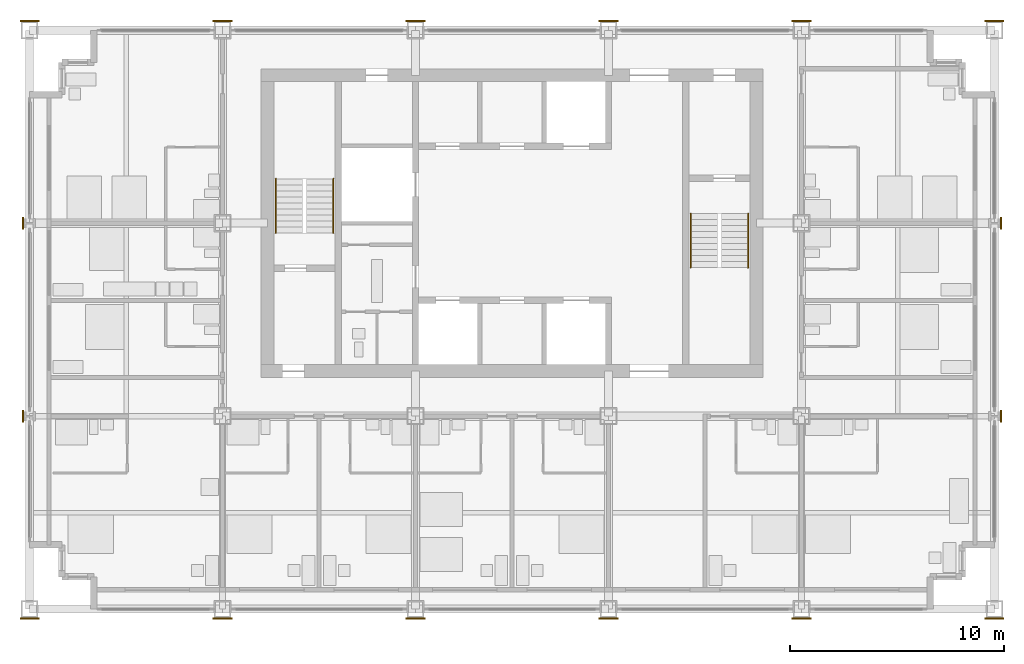
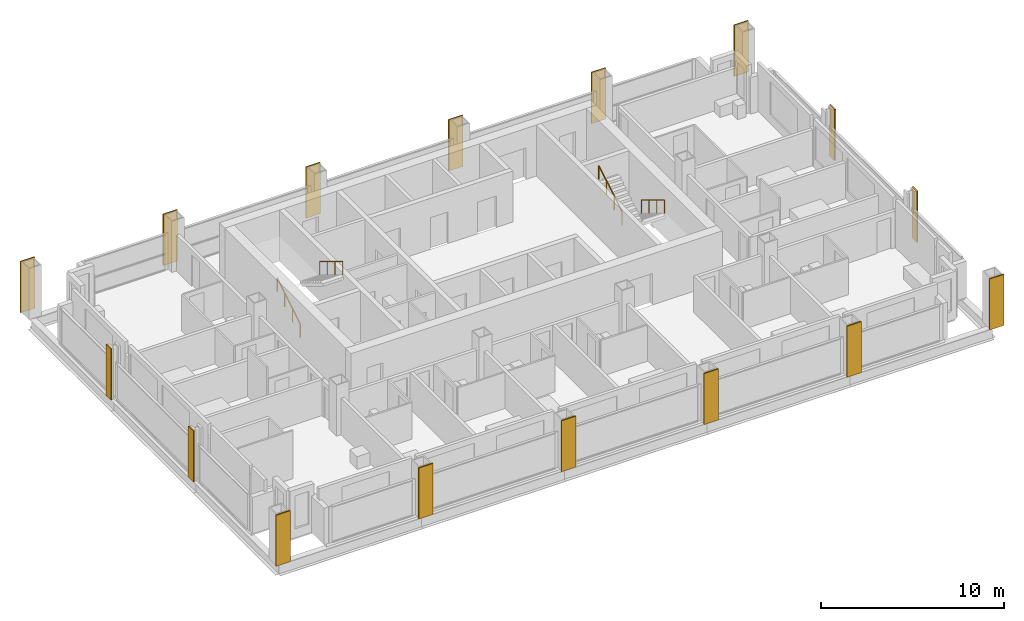
# One storey, part 12 of 14: 16 coverings, 4 railings.
"""IFC4 building model written with IfcOpenShell, lengths in metres."""

from ifc_helpers import new_model, si_unit, direction, frame, origin, origin_2d, place, context, subcontext, project, spatial, rectangle, circle, extrude, material, layer, layer_set, type_object, element, save


model = new_model("IFC4")

# Units and contexts
model_context = context("Model", 3, precision=1e-05, world=origin(), true_north=direction((0.0, 1.0)))
body_context = subcontext(model_context, "Body", "Model", "MODEL_VIEW")
ifc_project = project(units=[si_unit("LENGTHUNIT", "METRE"), si_unit("AREAUNIT", "SQUARE_METRE"), si_unit("VOLUMEUNIT", "CUBIC_METRE"), si_unit("PLANEANGLEUNIT", "RADIAN"), si_unit("MASSUNIT", "GRAM", prefix="KILO")], contexts=[model_context])

# Site, building, storey
site_placement = place(None, origin())
site = spatial("IfcSite", under=ifc_project, at=site_placement, CompositionType="ELEMENT")
building_placement = place(site_placement, origin())
building = spatial("IfcBuilding", under=site, at=building_placement, Name="Loomwork Tower", CompositionType="ELEMENT")
storey_placement = place(building_placement, frame((0.0, 0.0, 170.60009765625)))
storey = spatial("IfcBuildingStorey", under=building, at=storey_placement, Name="L46", CompositionType="ELEMENT", Elevation=170.60009765625)

# Railings
ifc_material_1 = material(Name="Stainless steel handrail", Category="steel")
railing_type = type_object("IfcRailingType", Name="Handrail 900", PredefinedType="HANDRAIL", material=ifc_material_1)
railing_1_placement = place(storey_placement, frame((11.485107421875, 17.550048828125, 0.169921875)))
element("IfcRailing", 1, at=railing_1_placement, inside=storey, type_object=railing_type, Name="Stair A handrail flight 1 L46", PredefinedType="HANDRAIL", context=body_context, shape_type="SweptSolid", body=[
    extrude(circle(Radius=0.02392578125, at=origin_2d()), frame((0.0, 0.0, 0.8759765625), z_axis=(0.0, 0.85478489116, 0.518982456201), x_axis=(-1.0, 0.0, 0.0)), (0.0, 0.0, 1.0), 2.9482421875),
    extrude(circle(Radius=0.02099609375, at=origin_2d()), origin(), (0.0, 0.0, 1.0), 0.851806640625),
    extrude(circle(Radius=0.02099609375, at=origin_2d()), frame((0.0, 0.840087890625, 0.510009765625)), (0.0, 0.0, 1.0), 0.851806640625),
    extrude(circle(Radius=0.02099609375, at=origin_2d()), frame((0.0, 1.679931640625, 1.02001953125)), (0.0, 0.0, 1.0), 0.851806640625),
    extrude(circle(Radius=0.02099609375, at=origin_2d()), frame((0.0, 2.52001953125, 1.530029296875)), (0.0, 0.0, 1.0), 0.851806640625),
])
for number, where, name in (
    (2, (14.1650390625, 20.070068359375, 1.869873046875), "Stair A handrail flight 2 L46"),
    (3, (33.514892578125, 18.449951171875, 0.169921875), "Stair B handrail flight 1 L46"),
):
    element("IfcRailing", number, at=place(storey_placement, frame(where)), inside=storey, type_object=railing_type, Name=name, PredefinedType="HANDRAIL", context=body_context, shape_type="SweptSolid", body=[
        extrude(circle(Radius=0.02392578125, at=origin_2d()), frame((0.0, 0.0, 0.8759765625), z_axis=(0.0, -0.85478489116, 0.518982456201), x_axis=(1.0, 0.0, 0.0)), (0.0, 0.0, 1.0), 2.9482421875),
        extrude(circle(Radius=0.02099609375, at=origin_2d()), origin(), (0.0, 0.0, 1.0), 0.851806640625),
        extrude(circle(Radius=0.02099609375, at=origin_2d()), frame((0.0, -0.840087890625, 0.510009765625)), (0.0, 0.0, 1.0), 0.851806640625),
        extrude(circle(Radius=0.02099609375, at=origin_2d()), frame((0.0, -1.679931640625, 1.02001953125)), (0.0, 0.0, 1.0), 0.851806640625),
        extrude(circle(Radius=0.02099609375, at=origin_2d()), frame((0.0, -2.52001953125, 1.530029296875)), (0.0, 0.0, 1.0), 0.851806640625),
    ])
railing_2_placement = place(storey_placement, frame((30.8349609375, 15.929931640625, 1.869873046875)))
element("IfcRailing", 4, at=railing_2_placement, inside=storey, type_object=railing_type, Name="Stair B handrail flight 2 L46", PredefinedType="HANDRAIL", context=body_context, shape_type="SweptSolid", body=[
    extrude(circle(Radius=0.02392578125, at=origin_2d()), frame((0.0, 0.0, 0.8759765625), z_axis=(0.0, 0.85478489116, 0.518982456201), x_axis=(-1.0, 0.0, 0.0)), (0.0, 0.0, 1.0), 2.9482421875),
    extrude(circle(Radius=0.02099609375, at=origin_2d()), origin(), (0.0, 0.0, 1.0), 0.851806640625),
    extrude(circle(Radius=0.02099609375, at=origin_2d()), frame((0.0, 0.840087890625, 0.510009765625)), (0.0, 0.0, 1.0), 0.851806640625),
    extrude(circle(Radius=0.02099609375, at=origin_2d()), frame((0.0, 1.679931640625, 1.02001953125)), (0.0, 0.0, 1.0), 0.851806640625),
    extrude(circle(Radius=0.02099609375, at=origin_2d()), frame((0.0, 2.52001953125, 1.530029296875)), (0.0, 0.0, 1.0), 0.851806640625),
])

# Coverings
ifc_material_2 = material(Name="Limestone", Category="masonry")
ifc_layer = layer(ifc_material_2, 0.080078125)
ifc_layer_set = layer_set([ifc_layer], Name="Limestone pier facing 80")
covering_type = type_object("IfcCoveringType", Name="Limestone pier facing 80", PredefinedType="CLADDING", material=ifc_layer_set)
covering_1_placement = place(storey_placement, frame((0.0, -0.43994140625, 0.0), z_axis=(0.0, 0.0, 1.0), x_axis=(1.0, 0.0, 0.0)))
element("IfcCovering", 5, at=covering_1_placement, inside=storey, type_object=covering_type, Name="Pier facing D/2 L46", PredefinedType="CLADDING", context=body_context, shape_type="SweptSolid", body=[
    extrude(rectangle(XDim=0.89990234375, YDim=0.080078125, at=origin_2d()), origin(), (0.0, 0.0, 1.0), 3.39990234375),
])
for number, where, z_axis, x_axis, name in (
    (6, (-0.314208984375, 9.0, 0.0), (0.0, 0.0, 1.0), (1.0, 0.0, 0.0), "Pier facing E/2 L46"),
    (7, (-0.314208984375, 18.0, 0.0), (0.0, 0.0, 1.0), (1.0, 0.0, 0.0), "Pier facing F/2 L46"),
):
    element("IfcCovering", number, at=place(storey_placement, frame(where, z_axis=z_axis, x_axis=x_axis)), inside=storey, type_object=covering_type, Name=name, PredefinedType="CLADDING", context=body_context, shape_type="SweptSolid", body=[
        extrude(rectangle(XDim=0.080078125, YDim=0.549560546875, at=origin_2d()), origin(), (0.0, 0.0, 1.0), 3.39990234375),
    ])
for number, where, z_axis, x_axis, name in (
    (8, (0.0, 27.43994140625, 0.0), (0.0, 0.0, 1.0), (1.0, 0.0, 0.0), "Pier facing G/2 L46"),
    (9, (9.0, -0.43994140625, 0.0), (0.0, 0.0, 1.0), (1.0, 0.0, 0.0), "Pier facing D/3 L46"),
    (10, (9.0, 27.43994140625, 0.0), (0.0, 0.0, 1.0), (1.0, 0.0, 0.0), "Pier facing G/3 L46"),
    (11, (18.0, -0.43994140625, 0.0), (0.0, 0.0, 1.0), (1.0, 0.0, 0.0), "Pier facing D/4 L46"),
    (12, (18.0, 27.43994140625, 0.0), (0.0, 0.0, 1.0), (1.0, 0.0, 0.0), "Pier facing G/4 L46"),
    (13, (27.0, -0.43994140625, 0.0), (0.0, 0.0, 1.0), (1.0, 0.0, 0.0), "Pier facing D/5 L46"),
    (14, (27.0, 27.43994140625, 0.0), (0.0, 0.0, 1.0), (1.0, 0.0, 0.0), "Pier facing G/5 L46"),
    (15, (36.0, -0.43994140625, 0.0), (0.0, 0.0, 1.0), (1.0, 0.0, 0.0), "Pier facing D/6 L46"),
    (16, (36.0, 27.43994140625, 0.0), (0.0, 0.0, 1.0), (1.0, 0.0, 0.0), "Pier facing G/6 L46"),
    (17, (45.0, -0.43994140625, 0.0), (0.0, 0.0, 1.0), (1.0, 0.0, 0.0), "Pier facing D/7 L46"),
):
    element("IfcCovering", number, at=place(storey_placement, frame(where, z_axis=z_axis, x_axis=x_axis)), inside=storey, type_object=covering_type, Name=name, PredefinedType="CLADDING", context=body_context, shape_type="SweptSolid", body=[
        extrude(rectangle(XDim=0.89990234375, YDim=0.080078125, at=origin_2d()), origin(), (0.0, 0.0, 1.0), 3.39990234375),
    ])
for number, where, z_axis, x_axis, name in (
    (18, (45.314208984375, 9.0, 0.0), (0.0, 0.0, 1.0), (1.0, 0.0, 0.0), "Pier facing E/7 L46"),
    (19, (45.314208984375, 18.0, 0.0), (0.0, 0.0, 1.0), (1.0, 0.0, 0.0), "Pier facing F/7 L46"),
):
    element("IfcCovering", number, at=place(storey_placement, frame(where, z_axis=z_axis, x_axis=x_axis)), inside=storey, type_object=covering_type, Name=name, PredefinedType="CLADDING", context=body_context, shape_type="SweptSolid", body=[
        extrude(rectangle(XDim=0.080078125, YDim=0.549560546875, at=origin_2d()), origin(), (0.0, 0.0, 1.0), 3.39990234375),
    ])
covering_2_placement = place(storey_placement, frame((45.0, 27.43994140625, 0.0), z_axis=(0.0, 0.0, 1.0), x_axis=(1.0, 0.0, 0.0)))
element("IfcCovering", 20, at=covering_2_placement, inside=storey, type_object=covering_type, Name="Pier facing G/7 L46", PredefinedType="CLADDING", context=body_context, shape_type="SweptSolid", body=[
    extrude(rectangle(XDim=0.89990234375, YDim=0.080078125, at=origin_2d()), origin(), (0.0, 0.0, 1.0), 3.39990234375),
])

save(model, "model.ifc")
